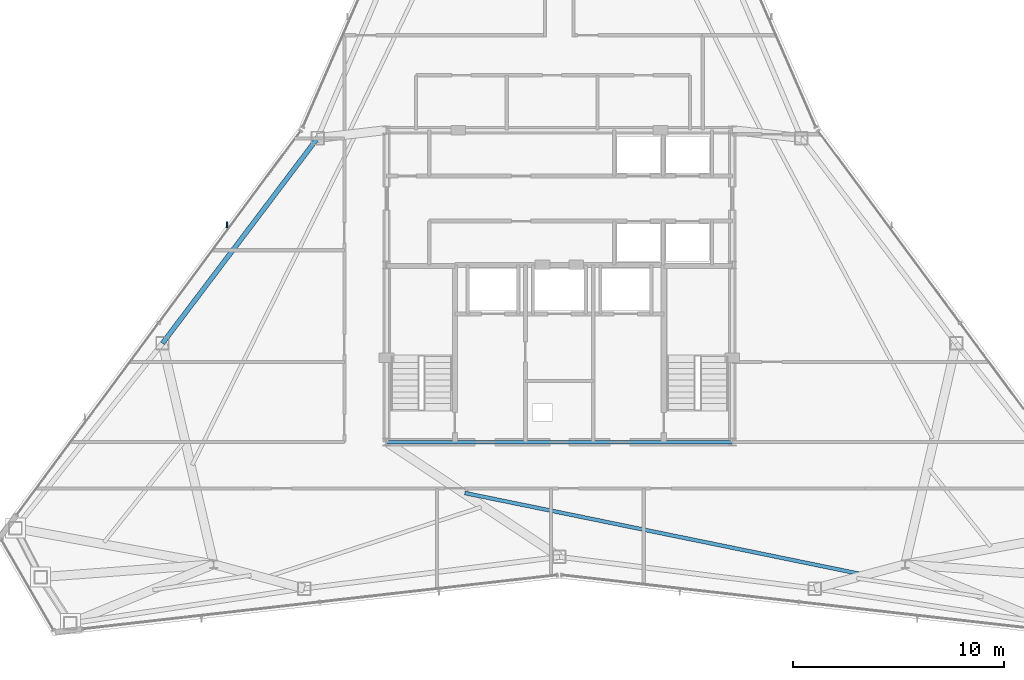
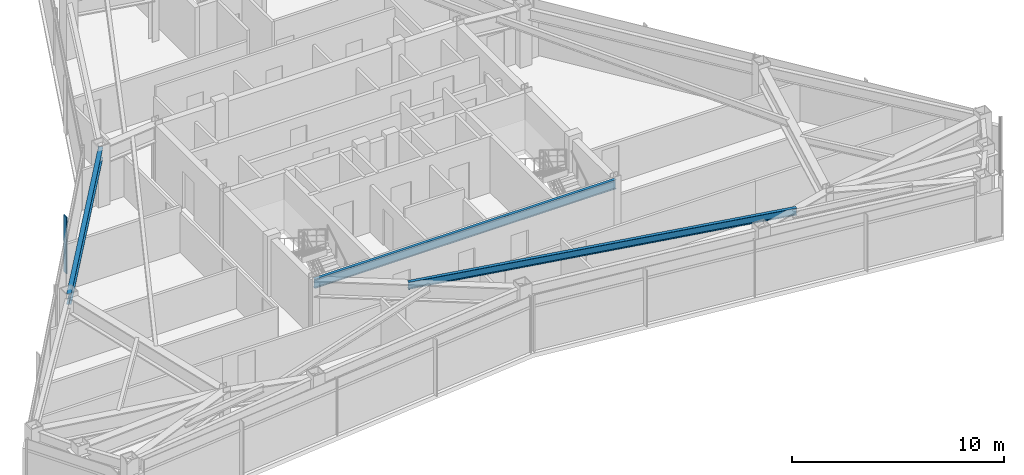
# One storey, part 4 of 12: 3 beams, 1 member, 1 element without a shape of its own.
"""IFC4 building model written with IfcOpenShell, lengths in metres."""

from ifc_helpers import new_model, si_unit, direction, frame, origin, origin_2d, place, context, subcontext, project, spatial, rectangle, i_section, extrude, source, transform, mapped, material, layer, layer_set, material_profile, profile_set, type_object, type_shapes, element, aggregate, save


model = new_model("IFC4")

# Units and contexts
model_context = context("Model", 3, precision=1e-05, world=origin(), true_north=direction((0.0, 1.0)))
body_context = subcontext(model_context, "Body", "Model", "MODEL_VIEW")
ifc_project = project(units=[si_unit("LENGTHUNIT", "METRE"), si_unit("AREAUNIT", "SQUARE_METRE"), si_unit("VOLUMEUNIT", "CUBIC_METRE"), si_unit("PLANEANGLEUNIT", "RADIAN"), si_unit("MASSUNIT", "GRAM", prefix="KILO")], contexts=[model_context])

# Site, building, storey
site_placement = place(None, origin())
site = spatial("IfcSite", under=ifc_project, at=site_placement, CompositionType="ELEMENT")
building_placement = place(site_placement, origin())
building = spatial("IfcBuilding", under=site, at=building_placement, Name="Varakhsha Concourse Tower", CompositionType="ELEMENT")
storey_placement = place(building_placement, frame((0.0, 0.0, 276.0)))
storey = spatial("IfcBuildingStorey", under=building, at=storey_placement, Name="L78", CompositionType="ELEMENT", Elevation=276.0)

# Beams
ifc_material_1 = material(Name="Structural Steel ASTM A992 Grade 50", Category="steel")
ifc_material_profile_1 = material_profile(ifc_material_1, i_section(OverallWidth=0.177978515625, OverallDepth=0.406982421875, WebThickness=0.008056640625, FlangeThickness=0.012939453125, at=origin_2d()), Name="W16X40")
ifc_profile_set_1 = profile_set([ifc_material_profile_1], Name="Structural Steel ASTM A992 Grade 50")
beam_type_1 = type_object("IfcBeamType", Name="BM-JST-W16X40", PredefinedType="JOIST", material=ifc_profile_set_1)
beam_1_placement = place(storey_placement, frame((35.515869140625, 13.9814453125, 3.04638671875), z_axis=(0.979703686828, -0.200451206071, 0.0), x_axis=(0.200451206071, 0.979703686828, 0.0)))
element("IfcBeam", 1, at=beam_1_placement, inside=storey, type_object=beam_type_1, Name="BM-TJST-L78-11", PredefinedType="JOIST", context=body_context, shape_type="SweptSolid", body=[
    extrude(i_section(OverallWidth=0.177978515625, OverallDepth=0.406982421875, WebThickness=0.008056640625, FlangeThickness=0.012939453125, at=origin_2d()), origin(), (0.0, 0.0, 1.0), 19.2802734375),
])
ifc_material_profile_2 = material_profile(ifc_material_1, i_section(OverallWidth=0.1669921875, OverallDepth=0.534912109375, WebThickness=0.010009765625, FlangeThickness=0.01708984375, at=origin_2d()), Name="W21X57")
ifc_profile_set_2 = profile_set([ifc_material_profile_2], Name="Structural Steel ASTM A992 Grade 50")
beam_type_2 = type_object("IfcBeamType", Name="BM-RAD-W21X57", PredefinedType="BEAM", material=ifc_profile_set_2)
beam_2_placement = place(storey_placement, frame((31.800048828125, 16.39990234375, 2.982421875), z_axis=(1.0, 0.0, 0.0), x_axis=(0.0, 1.0, 0.0)))
element("IfcBeam", 2, at=beam_2_placement, inside=storey, type_object=beam_type_2, Name="BM-TCORE-L78-CS", PredefinedType="BEAM", context=body_context, shape_type="SweptSolid", body=[
    extrude(i_section(OverallWidth=0.1669921875, OverallDepth=0.534912109375, WebThickness=0.010009765625, FlangeThickness=0.01708984375, at=origin_2d()), origin(), (0.0, 0.0, 1.0), 16.39990234375),
])
ifc_material_profile_3 = material_profile(ifc_material_1, i_section(OverallWidth=0.22900390625, OverallDepth=0.612060546875, WebThickness=0.011962890625, FlangeThickness=0.02001953125, at=origin_2d()), Name="W24X84")
ifc_profile_set_3 = profile_set([ifc_material_profile_3], Name="Structural Steel ASTM A992 Grade 50")
beam_type_3 = type_object("IfcBeamType", Name="BM-SPAN-W24X84", PredefinedType="SPANDREL", material=ifc_profile_set_3)
beam_3_placement = place(storey_placement, frame((28.528076171875, 30.8232421875, 2.944091796875), z_axis=(-0.60276855687, -0.797916077572, 0.0), x_axis=(0.797916077572, -0.60276855687, 0.0)))
element("IfcBeam", 3, at=beam_3_placement, inside=storey, type_object=beam_type_3, Name="BM-SPAN-L78-05", PredefinedType="SPANDREL", context=body_context, shape_type="SweptSolid", body=[
    extrude(i_section(OverallWidth=0.22900390625, OverallDepth=0.612060546875, WebThickness=0.011962890625, FlangeThickness=0.02001953125, at=origin_2d()), origin(), (0.0, 0.0, 1.0), 12.202880859375),
])

# Curtain wall, member
ifc_material_2 = material(Name="Anodised Bronze Architectural Aluminium AA 6063-T6", Category="aluminium")
ifc_layer = layer(ifc_material_2, 0.199951171875, Name="CW-SYS-05")
ifc_layer_set = layer_set([ifc_layer], Name="Anodised Bronze Architectural Aluminium AA 6063-T6")
curtain_wall_type = type_object("IfcCurtainWallType", Name="CW-SYS-05", PredefinedType="NOTDEFINED", material=ifc_layer_set)
curtain_wall_placement = place(storey_placement, origin())
curtain_wall = element("IfcCurtainWall", 4, at=curtain_wall_placement, inside=storey, type_object=curtain_wall_type, Name="L78 Crystal Curtain Wall F3", PredefinedType="NOTDEFINED")
ifc_material_profile_4 = material_profile(ifc_material_2, rectangle(XDim=0.054931640625, YDim=0.300048828125, at=origin_2d()), Name="FIN-BRZ-300")
ifc_profile_set_4 = profile_set([ifc_material_profile_4], Name="Anodised Bronze Architectural Aluminium AA 6063-T6")
member_type = type_object("IfcMemberType", Name="FIN-BRZ-300", PredefinedType="USERDEFINED", material=ifc_profile_set_4)
shared_shape = source(origin(), body_context, "Body", "SweptSolid", [
    extrude(rectangle(XDim=0.054931640625, YDim=0.300048828125, at=origin_2d()), origin(), (0.0, 0.0, 1.0), 3.25),
])
type_shapes(member_type, [shared_shape])
member_placement = place(storey_placement, frame((24.229736328125, 26.709716796875, 0.0), z_axis=(0.0, 0.0, 1.0), x_axis=(1.0, 0.0, 0.0)))
member = element("IfcMember", 5, at=member_placement, type_object=member_type, Name="L78 Anodised Bronze Solar Fin F3-2", ObjectType="SOLAR FIN", PredefinedType="USERDEFINED", context=body_context, shape_type="MappedRepresentation", body=[
    mapped(shared_shape, transform((0.0, 0.0, 0.0), scale=1.0)),
])
aggregate(curtain_wall, [member])

save(model, "model.ifc")
